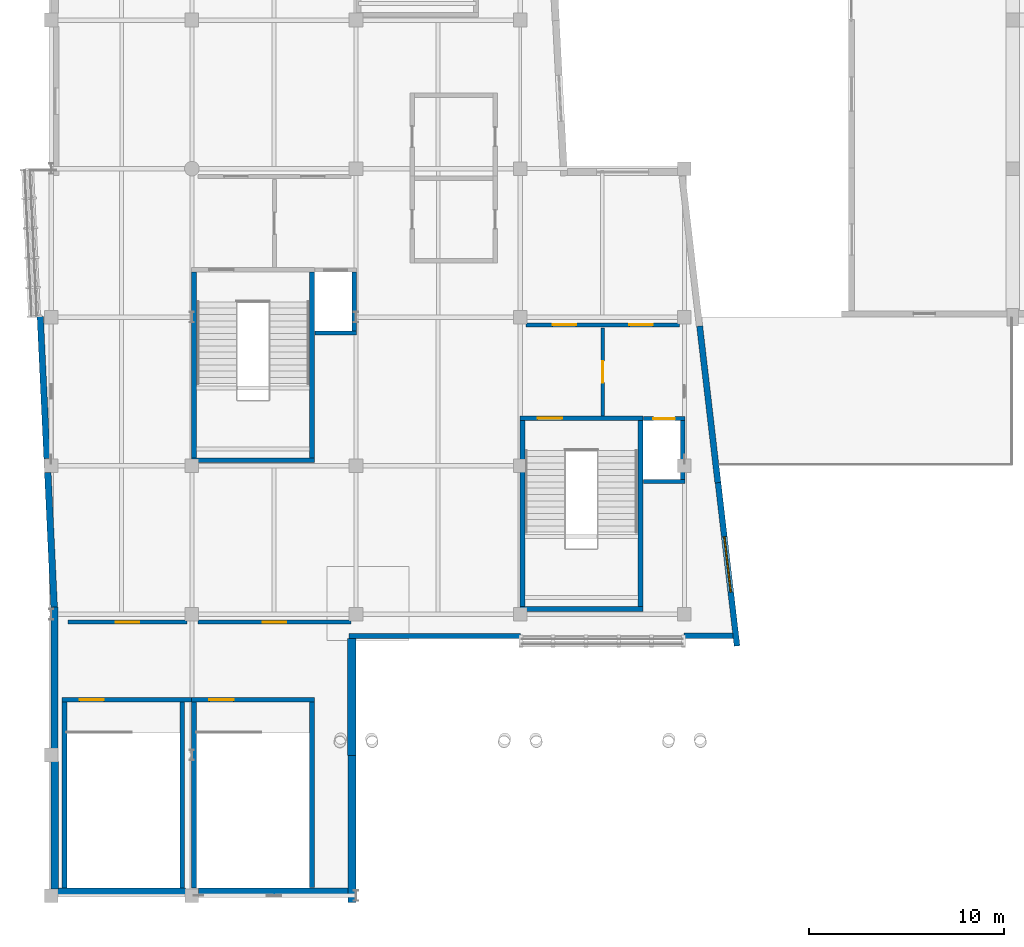
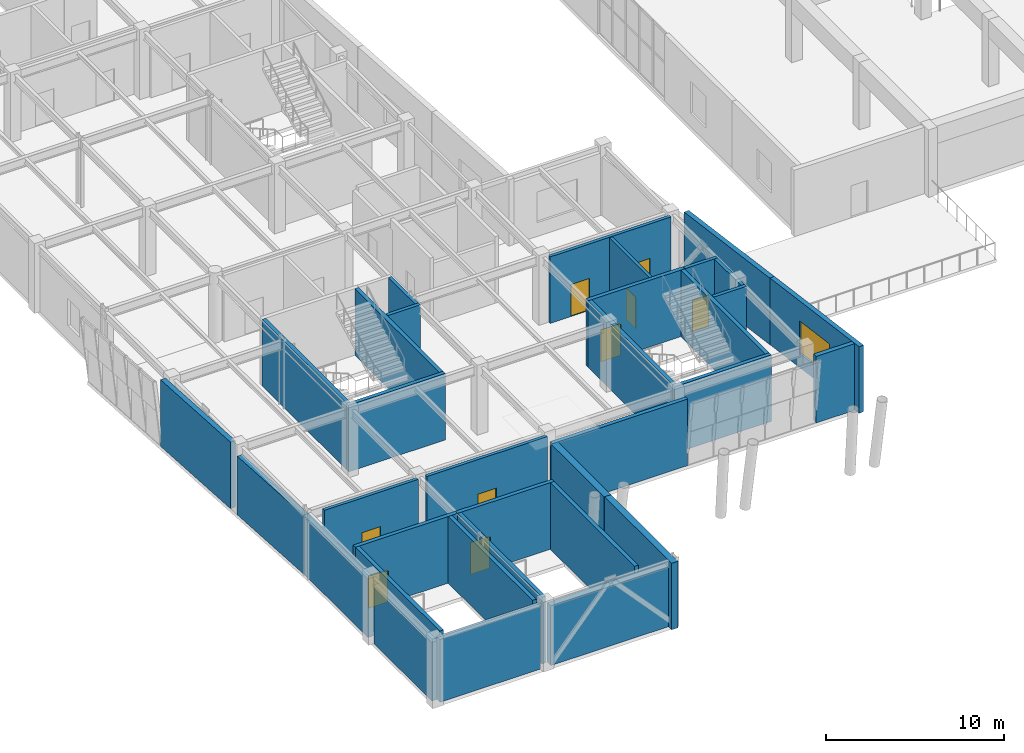
# One storey, part 61 of 72: 34 walls, 9 doors, 1 window, 10 openings.
"""IFC4 building model written with IfcOpenShell, lengths in metres."""

from ifc_helpers import new_model, si_unit, direction, frame, frame_2d, origin, place, context, subcontext, project, spatial, rectangle, extrude, material, layer, layer_set, type_object, element, fill, save


model = new_model("IFC4")

# Units and contexts
model_context = context("Model", 3, precision=1e-05, world=origin(), true_north=direction((0.0, 1.0)))
body_context = subcontext(model_context, "Body", "Model", "MODEL_VIEW")
ifc_project = project(units=[si_unit("LENGTHUNIT", "METRE"), si_unit("AREAUNIT", "SQUARE_METRE"), si_unit("VOLUMEUNIT", "CUBIC_METRE"), si_unit("PLANEANGLEUNIT", "RADIAN"), si_unit("MASSUNIT", "GRAM", prefix="KILO")], contexts=[model_context])

# Site, building, storey
site_placement = place(None, origin())
site = spatial("IfcSite", under=ifc_project, at=site_placement, CompositionType="ELEMENT")
building_placement = place(site_placement, origin())
building = spatial("IfcBuilding", under=site, at=building_placement, Name="Xicomal Pleat Aquarium", CompositionType="ELEMENT")
storey_placement = place(building_placement, frame((0.0, 0.0, 10.5)))
storey = spatial("IfcBuildingStorey", under=building, at=storey_placement, Name="L03", CompositionType="ELEMENT", Elevation=10.5)

# Walls
ifc_material_1 = material(Name="Concrete C40/50", Category="concrete")
ifc_layer_1 = layer(ifc_material_1, 0.219970703125)
ifc_layer_set_1 = layer_set([ifc_layer_1], Name="Concrete C40/50")
wall_type_1 = type_object("IfcWallType", Name="WAL-COR-220", PredefinedType="SHEAR", material=ifc_layer_set_1)
wall_1_placement = place(storey_placement, frame((16.5, 29.590087890625, 0.0), z_axis=(0.0, 0.0, 1.0), x_axis=(1.0, 0.0, 0.0)))
element("IfcWall", 1, at=wall_1_placement, inside=storey, type_object=wall_type_1, Name="L03 LF-01 lift shaft wall CW-L03-C1-LS", PredefinedType="SHEAR", context=body_context, shape_type="SweptSolid", body=[
    extrude(rectangle(XDim=2.1201171875, YDim=0.219970703125, at=frame_2d((1.06005859375, 0.0))), origin(), (0.0, 0.0, 1.0), 4.574951171875),
])
wall_2_placement = place(storey_placement, frame((18.510009765625, 29.699951171875, 0.0), z_axis=(0.0, 0.0, 1.0), x_axis=(0.0, 1.0, 0.0)))
element("IfcWall", 2, at=wall_2_placement, inside=storey, type_object=wall_type_1, Name="L03 LF-01 lift shaft wall CW-L03-C1-LE", PredefinedType="SHEAR", context=body_context, shape_type="SweptSolid", body=[
    extrude(rectangle(XDim=3.0, YDim=0.219970703125, at=frame_2d((1.5, 0.0))), origin(), (0.0, 0.0, 1.0), 4.574951171875),
])
wall_3_placement = place(storey_placement, frame((33.300048828125, 21.989990234375, 0.0), z_axis=(0.0, 0.0, 1.0), x_axis=(1.0, 0.0, 0.0)))
element("IfcWall", 3, at=wall_3_placement, inside=storey, type_object=wall_type_1, Name="L03 LF-02 lift shaft wall CW-L03-C2-LS", PredefinedType="SHEAR", context=body_context, shape_type="SweptSolid", body=[
    extrude(rectangle(XDim=2.119873046875, YDim=0.219970703125, at=frame_2d((1.06005859375, 0.0))), origin(), (0.0, 0.0, 1.0), 4.574951171875),
])

# Wall, opening, door
wall_4_placement = place(storey_placement, frame((33.300048828125, 25.2099609375, 0.0), z_axis=(0.0, 0.0, 1.0), x_axis=(1.0, 0.0, 0.0)))
wall_4 = element("IfcWall", 4, at=wall_4_placement, inside=storey, type_object=wall_type_1, Name="L03 LF-02 lift shaft wall CW-L03-C2-LN", PredefinedType="SHEAR", context=body_context, shape_type="SweptSolid", body=[
    extrude(rectangle(XDim=2.119873046875, YDim=0.219970703125, at=frame_2d((1.06005859375, 0.0))), origin(), (0.0, 0.0, 1.0), 4.574951171875),
])
opening_1_placement = place(wall_4_placement, frame((0.510009765625, 0.0, 0.0)))
opening_1 = element("IfcOpeningElement", 5, at=opening_1_placement, cuts=wall_4, Name="Opening LD-02-L03", PredefinedType="OPENING", context=body_context, shape_type="SweptSolid", body=[
    extrude(rectangle(XDim=1.10009765625, YDim=2.14990234375, at=frame_2d((0.550048828125, 1.074951171875))), frame((0.0, 0.119873046875, 0.0), z_axis=(0.0, -1.0, 0.0), x_axis=(1.0, 0.0, 0.0)), (0.0, 0.0, 1.0), 0.239990234375),
])
ifc_material_2 = material(Name="Brushed stainless steel 304", Category="steel")
door_type_1 = type_object("IfcDoorType", Name="DOR-LD-1100x2150", OperationType="DOUBLE_DOOR_SLIDING", PredefinedType="DOOR", material=ifc_material_2)
door_1_placement = place(opening_1_placement, origin())
door_1 = element("IfcDoor", 6, at=door_1_placement, inside=storey, type_object=door_type_1, Name="L03 LF-02 sliding lift landing door", OperationType="DOUBLE_DOOR_SLIDING", OverallHeight=2.14990234375, OverallWidth=1.10009765625, PredefinedType="DOOR", context=body_context, shape_type="SweptSolid", body=[
    extrude(rectangle(XDim=1.10009765625, YDim=2.14990234375, at=frame_2d((0.550048828125, 1.074951171875))), frame((0.0, 0.02490234375, 0.0), z_axis=(0.0, -1.0, 0.0), x_axis=(1.0, 0.0, 0.0)), (0.0, 0.0, 1.0), 0.050048828125),
])
fill(opening_1, door_1)

# Walls
wall_5_placement = place(storey_placement, frame((35.31005859375, 22.10009765625, 0.0), z_axis=(0.0, 0.0, 1.0), x_axis=(0.0, 1.0, 0.0)))
element("IfcWall", 7, at=wall_5_placement, inside=storey, type_object=wall_type_1, Name="L03 LF-02 lift shaft wall CW-L03-C2-LE", PredefinedType="SHEAR", context=body_context, shape_type="SweptSolid", body=[
    extrude(rectangle(XDim=3.0, YDim=0.219970703125, at=frame_2d((1.5, 0.0))), origin(), (0.0, 0.0, 1.0), 4.574951171875),
])
ifc_material_3 = material(Name="Concrete C40/50", Category="concrete")
ifc_layer_2 = layer(ifc_material_3, 0.25)
ifc_layer_set_2 = layer_set([ifc_layer_2], Name="Concrete C40/50")
wall_type_2 = type_object("IfcWallType", Name="WAL-COR-250", PredefinedType="SHEAR", material=ifc_layer_set_2)
wall_6_placement = place(storey_placement, frame((10.18994140625, 23.074951171875, 0.0), z_axis=(0.0, 0.0, 1.0), x_axis=(1.0, 0.0, 0.0)))
element("IfcWall", 8, at=wall_6_placement, inside=storey, type_object=wall_type_2, Name="L03 CORE-1 stair shear wall CW-L03-C1-SS", PredefinedType="SHEAR", context=body_context, shape_type="SweptSolid", body=[
    extrude(rectangle(XDim=6.280029296875, YDim=0.25, at=frame_2d((3.14013671875, 0.0))), origin(), (0.0, 0.0, 1.0), 4.574951171875),
])
for number, where, z_axis, x_axis, name in (
    (9, (10.31494140625, 23.199951171875, 0.0), (0.0, 0.0, 1.0), (0.0, 1.0, 0.0), "L03 CORE-1 stair shear wall CW-L03-C1-SW"),
    (10, (16.344970703125, 23.199951171875, 0.0), (0.0, 0.0, 1.0), (0.0, 1.0, 0.0), "L03 CORE-1 stair shear wall CW-L03-C1-SE"),
):
    element("IfcWall", number, at=place(storey_placement, frame(where, z_axis=z_axis, x_axis=x_axis)), inside=storey, type_object=wall_type_2, Name=name, PredefinedType="SHEAR", context=body_context, shape_type="SweptSolid", body=[
        extrude(rectangle(XDim=9.5, YDim=0.25, at=frame_2d((4.75, 0.0))), origin(), (0.0, 0.0, 1.0), 4.574951171875),
    ])
wall_7_placement = place(storey_placement, frame((26.989990234375, 15.47509765625, 0.0), z_axis=(0.0, 0.0, 1.0), x_axis=(1.0, 0.0, 0.0)))
element("IfcWall", 11, at=wall_7_placement, inside=storey, type_object=wall_type_2, Name="L03 CORE-2 stair shear wall CW-L03-C2-SS", PredefinedType="SHEAR", context=body_context, shape_type="SweptSolid", body=[
    extrude(rectangle(XDim=6.280029296875, YDim=0.25, at=frame_2d((3.14013671875, 0.0))), origin(), (0.0, 0.0, 1.0), 4.574951171875),
])

# Wall, opening, door
wall_8_placement = place(storey_placement, frame((26.989990234375, 25.22509765625, 0.0), z_axis=(0.0, 0.0, 1.0), x_axis=(1.0, 0.0, 0.0)))
wall_8 = element("IfcWall", 12, at=wall_8_placement, inside=storey, type_object=wall_type_2, Name="L03 CORE-2 stair shear wall CW-L03-C2-SN", PredefinedType="SHEAR", context=body_context, shape_type="SweptSolid", body=[
    extrude(rectangle(XDim=6.280029296875, YDim=0.25, at=frame_2d((3.14013671875, 0.0))), origin(), (0.0, 0.0, 1.0), 4.574951171875),
])
opening_2_placement = place(wall_8_placement, frame((0.89990234375, 0.0, 0.0)))
opening_2 = element("IfcOpeningElement", 13, at=opening_2_placement, cuts=wall_8, Name="Opening SD-02-L03", PredefinedType="OPENING", context=body_context, shape_type="SweptSolid", body=[
    extrude(rectangle(XDim=1.25, YDim=2.199951171875, at=frame_2d((0.625, 1.10009765625))), frame((0.0, 0.135009765625, 0.0), z_axis=(0.0, -1.0, 0.0), x_axis=(1.0, 0.0, 0.0)), (0.0, 0.0, 1.0), 0.27001953125),
])
ifc_material_4 = material(Name="Powder-coated steel fire door", Category="steel")
door_type_2 = type_object("IfcDoorType", Name="DOR-ST-1250x2200", OperationType="NOTDEFINED", PredefinedType="DOOR", material=ifc_material_4)
door_2_placement = place(opening_2_placement, origin())
door_2 = element("IfcDoor", 14, at=door_2_placement, inside=storey, type_object=door_type_2, Name="L03 ST-02 protected stair door", OperationType="SINGLE_SWING_LEFT", OverallHeight=2.199951171875, OverallWidth=1.25, PredefinedType="DOOR", context=body_context, shape_type="SweptSolid", body=[
    extrude(rectangle(XDim=1.25, YDim=2.199951171875, at=frame_2d((0.625, 1.10009765625))), frame((0.0, 0.02490234375, 0.0), z_axis=(0.0, -1.0, 0.0), x_axis=(1.0, 0.0, 0.0)), (0.0, 0.0, 1.0), 0.050048828125),
])
fill(opening_2, door_2)

# Walls
for number, where, z_axis, x_axis, name in (
    (15, (27.114990234375, 15.60009765625, 0.0), (0.0, 0.0, 1.0), (0.0, 1.0, 0.0), "L03 CORE-2 stair shear wall CW-L03-C2-SW"),
    (16, (33.14501953125, 15.60009765625, 0.0), (0.0, 0.0, 1.0), (0.0, 1.0, 0.0), "L03 CORE-2 stair shear wall CW-L03-C2-SE"),
):
    element("IfcWall", number, at=place(storey_placement, frame(where, z_axis=z_axis, x_axis=x_axis)), inside=storey, type_object=wall_type_2, Name=name, PredefinedType="SHEAR", context=body_context, shape_type="SweptSolid", body=[
        extrude(rectangle(XDim=9.5, YDim=0.25, at=frame_2d((4.75, 0.0))), origin(), (0.0, 0.0, 1.0), 4.574951171875),
    ])

# Wall, opening, door
wall_9_placement = place(storey_placement, frame((10.18994140625, 10.824951171875, 0.0), z_axis=(0.0, 0.0, 1.0), x_axis=(1.0, 0.0, 0.0)))
wall_9 = element("IfcWall", 17, at=wall_9_placement, inside=storey, type_object=wall_type_2, Name="L03 CORE-9 stair shear wall CW-L03-C9-SN", PredefinedType="SHEAR", context=body_context, shape_type="SweptSolid", body=[
    extrude(rectangle(XDim=6.280029296875, YDim=0.25, at=frame_2d((3.14013671875, 0.0))), origin(), (0.0, 0.0, 1.0), 4.580078125),
])
opening_3_placement = place(wall_9_placement, frame((0.89990234375, 0.0, 0.0)))
opening_3 = element("IfcOpeningElement", 18, at=opening_3_placement, cuts=wall_9, Name="Opening SD-09-L03", PredefinedType="OPENING", context=body_context, shape_type="SweptSolid", body=[
    extrude(rectangle(XDim=1.25, YDim=2.199951171875, at=frame_2d((0.625, 1.10009765625))), frame((0.0, 0.135009765625, 0.0), z_axis=(0.0, -1.0, 0.0), x_axis=(1.0, 0.0, 0.0)), (0.0, 0.0, 1.0), 0.27001953125),
])
door_3_placement = place(opening_3_placement, origin())
door_3 = element("IfcDoor", 19, at=door_3_placement, inside=storey, type_object=door_type_2, Name="L03 ST-09 protected stair door", OperationType="SINGLE_SWING_LEFT", OverallHeight=2.199951171875, OverallWidth=1.25, PredefinedType="DOOR", context=body_context, shape_type="SweptSolid", body=[
    extrude(rectangle(XDim=1.25, YDim=2.199951171875, at=frame_2d((0.625, 1.10009765625))), frame((0.0, 0.02490234375, 0.0), z_axis=(0.0, -1.0, 0.0), x_axis=(1.0, 0.0, 0.0)), (0.0, 0.0, 1.0), 0.050048828125),
])
fill(opening_3, door_3)

# Walls
wall_10_placement = place(storey_placement, frame((10.31494140625, 1.199951171875, 0.0), z_axis=(0.0, 0.0, 1.0), x_axis=(0.0, 1.0, 0.0)))
element("IfcWall", 20, at=wall_10_placement, inside=storey, type_object=wall_type_2, Name="L03 CORE-9 stair shear wall CW-L03-C9-SW", PredefinedType="SHEAR", context=body_context, shape_type="SweptSolid", body=[
    extrude(rectangle(XDim=9.5, YDim=0.25, at=frame_2d((4.75, 0.0))), origin(), (0.0, 0.0, 1.0), 4.580078125),
])
wall_11_placement = place(storey_placement, frame((16.344970703125, 1.219970703125, 0.0), z_axis=(0.0, 0.0, 1.0), x_axis=(0.0, 1.0, 0.0)))
element("IfcWall", 21, at=wall_11_placement, inside=storey, type_object=wall_type_2, Name="L03 CORE-9 stair shear wall CW-L03-C9-SE", PredefinedType="SHEAR", context=body_context, shape_type="SweptSolid", body=[
    extrude(rectangle(XDim=9.47998046875, YDim=0.25, at=frame_2d((4.739990234375, 0.0))), origin(), (0.0, 0.0, 1.0), 4.580078125),
])

# Wall, opening, door
wall_12_placement = place(storey_placement, frame((3.550048828125, 10.824951171875, 0.0), z_axis=(0.0, 0.0, 1.0), x_axis=(1.0, 0.0, 0.0)))
wall_12 = element("IfcWall", 22, at=wall_12_placement, inside=storey, type_object=wall_type_2, Name="L03 CORE-10 stair shear wall CW-L03-C10-SN", PredefinedType="SHEAR", context=body_context, shape_type="SweptSolid", body=[
    extrude(rectangle(XDim=6.639892578125, YDim=0.25, at=frame_2d((3.31982421875, 0.0))), origin(), (0.0, 0.0, 1.0), 4.580078125),
])
opening_4_placement = place(wall_12_placement, frame((0.89990234375, 0.0, 0.0)))
opening_4 = element("IfcOpeningElement", 23, at=opening_4_placement, cuts=wall_12, Name="Opening SD-10-L03", PredefinedType="OPENING", context=body_context, shape_type="SweptSolid", body=[
    extrude(rectangle(XDim=1.25, YDim=2.199951171875, at=frame_2d((0.625, 1.10009765625))), frame((0.0, 0.135009765625, 0.0), z_axis=(0.0, -1.0, 0.0), x_axis=(1.0, 0.0, 0.0)), (0.0, 0.0, 1.0), 0.27001953125),
])
door_4_placement = place(opening_4_placement, origin())
door_4 = element("IfcDoor", 24, at=door_4_placement, inside=storey, type_object=door_type_2, Name="L03 ST-10 protected stair door", OperationType="SINGLE_SWING_LEFT", OverallHeight=2.199951171875, OverallWidth=1.25, PredefinedType="DOOR", context=body_context, shape_type="SweptSolid", body=[
    extrude(rectangle(XDim=1.25, YDim=2.199951171875, at=frame_2d((0.625, 1.10009765625))), frame((0.0, 0.02490234375, 0.0), z_axis=(0.0, -1.0, 0.0), x_axis=(1.0, 0.0, 0.0)), (0.0, 0.0, 1.0), 0.050048828125),
])
fill(opening_4, door_4)

# Walls
for number, where, z_axis, x_axis, name in (
    (25, (3.675048828125, 1.199951171875, 0.0), (0.0, 0.0, 1.0), (0.0, 1.0, 0.0), "L03 CORE-10 stair shear wall CW-L03-C10-SW"),
    (26, (9.705078125, 1.199951171875, 0.0), (0.0, 0.0, 1.0), (0.0, 1.0, 0.0), "L03 CORE-10 stair shear wall CW-L03-C10-SE"),
):
    element("IfcWall", number, at=place(storey_placement, frame(where, z_axis=z_axis, x_axis=x_axis)), inside=storey, type_object=wall_type_2, Name=name, PredefinedType="SHEAR", context=body_context, shape_type="SweptSolid", body=[
        extrude(rectangle(XDim=9.5, YDim=0.25, at=frame_2d((4.75, 0.0))), origin(), (0.0, 0.0, 1.0), 4.580078125),
    ])
ifc_material_5 = material(Name="Volcanic basalt recinto masonry and concrete C40/50", Category="masonry")
ifc_layer_3 = layer(ifc_material_5, 0.35009765625)
ifc_layer_set_3 = layer_set([ifc_layer_3], Name="Volcanic basalt recinto masonry and concrete C40/50")
wall_type_3 = type_object("IfcWallType", Name="WAL-EXT-BAS-350", PredefinedType="SOLIDWALL", material=ifc_layer_set_3)
wall_13_placement = place(storey_placement, frame((3.175048828125, 8.3349609375, 0.0), z_axis=(0.0, 0.0, 1.0), x_axis=(0.0, 1.0, 0.0)))
element("IfcWall", 27, at=wall_13_placement, inside=storey, type_object=wall_type_3, Name="L03 exterior basalt-precast wall EW-L03-093", PredefinedType="SOLIDWALL", context=body_context, shape_type="SweptSolid", body=[
    extrude(rectangle(XDim=7.22509765625, YDim=0.35009765625, at=frame_2d((3.612548828125, 0.0))), origin(), (0.0, 0.0, 1.0), 4.02587890625),
])
ifc_material_6 = material(Name="Volcanic basalt recinto masonry and concrete C40/50", Category="masonry")
ifc_layer_4 = layer(ifc_material_6, 0.364990234375)
ifc_layer_set_4 = layer_set([ifc_layer_4], Name="Volcanic basalt recinto masonry and concrete C40/50")
wall_type_4 = type_object("IfcWallType", Name="WAL-EXT-BAS-365", PredefinedType="SOLIDWALL", material=ifc_layer_set_4)
wall_14_placement = place(storey_placement, frame((3.18310546875, 1.135009765625, 0.0), z_axis=(0.0, 0.0, 1.0), x_axis=(0.0, 1.0, 0.0)))
element("IfcWall", 28, at=wall_14_placement, inside=storey, type_object=wall_type_4, Name="L03 exterior basalt-precast wall EW-L03-092", PredefinedType="SOLIDWALL", context=body_context, shape_type="SweptSolid", body=[
    extrude(rectangle(XDim=6.530029296875, YDim=0.364990234375, at=frame_2d((3.26513671875, 0.0))), origin(), (0.0, 0.0, 1.0), 4.02587890625),
])
ifc_material_7 = material(Name="Volcanic basalt recinto masonry and concrete C40/50", Category="masonry")
ifc_layer_5 = layer(ifc_material_7, 0.3798828125)
ifc_layer_set_5 = layer_set([ifc_layer_5], Name="Volcanic basalt recinto masonry and concrete C40/50")
wall_type_5 = type_object("IfcWallType", Name="WAL-EXT-BAS-380", PredefinedType="SOLIDWALL", material=ifc_layer_set_5)
wall_15_placement = place(storey_placement, frame((9.864990234375, 0.989990234375, 0.0), z_axis=(0.0, 0.0, 1.0), x_axis=(-1.0, 0.0, 0.0)))
element("IfcWall", 29, at=wall_15_placement, inside=storey, type_object=wall_type_5, Name="L03 exterior basalt-precast wall EW-L03-091", PredefinedType="SOLIDWALL", context=body_context, shape_type="SweptSolid", body=[
    extrude(rectangle(XDim=6.530029296875, YDim=0.3798828125, at=frame_2d((3.26513671875, 0.0))), origin(), (0.0, 0.0, 1.0), 4.320068359375),
])
ifc_material_8 = material(Name="Volcanic basalt recinto masonry and concrete C40/50", Category="masonry")
ifc_layer_6 = layer(ifc_material_8, 0.39990234375)
ifc_layer_set_6 = layer_set([ifc_layer_6], Name="Volcanic basalt recinto masonry and concrete C40/50")
wall_type_6 = type_object("IfcWallType", Name="WAL-EXT-BAS-400", PredefinedType="SOLIDWALL", material=ifc_layer_set_6)
wall_16_placement = place(storey_placement, frame((18.175048828125, 1.0, 0.0), z_axis=(0.0, 0.0, 1.0), x_axis=(-1.0, 0.0, 0.0)))
element("IfcWall", 30, at=wall_16_placement, inside=storey, type_object=wall_type_6, Name="L03 exterior basalt-precast wall EW-L03-090B", PredefinedType="SOLIDWALL", context=body_context, shape_type="SweptSolid", body=[
    extrude(rectangle(XDim=7.64013671875, YDim=0.39990234375, at=frame_2d((3.820068359375, 0.0))), origin(), (0.0, 0.0, 1.0), 4.10107421875),
])
ifc_material_9 = material(Name="Volcanic basalt recinto masonry and concrete C40/50", Category="masonry")
ifc_layer_7 = layer(ifc_material_9, 0.419921875)
ifc_layer_set_7 = layer_set([ifc_layer_7], Name="Volcanic basalt recinto masonry and concrete C40/50")
wall_type_7 = type_object("IfcWallType", Name="WAL-EXT-BAS-420", PredefinedType="SOLIDWALL", material=ifc_layer_set_7)
wall_17_placement = place(storey_placement, frame((18.389892578125, 7.97998046875, 0.0), z_axis=(0.0, 0.0, 1.0), x_axis=(0.0, -1.0, 0.0)))
element("IfcWall", 31, at=wall_17_placement, inside=storey, type_object=wall_type_7, Name="L03 exterior basalt-precast wall EW-L03-089", PredefinedType="SOLIDWALL", context=body_context, shape_type="SweptSolid", body=[
    extrude(rectangle(XDim=7.5400390625, YDim=0.419921875, at=frame_2d((3.77001953125, 0.0))), origin(), (0.0, 0.0, 1.0), 4.574951171875),
])
ifc_material_10 = material(Name="Volcanic basalt recinto masonry and concrete C40/50", Category="masonry")
ifc_layer_8 = layer(ifc_material_10, 0.445068359375)
ifc_layer_set_8 = layer_set([ifc_layer_8], Name="Volcanic basalt recinto masonry and concrete C40/50")
wall_type_8 = type_object("IfcWallType", Name="WAL-EXT-BAS-445", PredefinedType="SOLIDWALL", material=ifc_layer_set_8)
wall_18_placement = place(storey_placement, frame((18.3779296875, 13.945068359375, 0.0), z_axis=(0.0, 0.0, 1.0), x_axis=(0.0, -1.0, 0.0)))
element("IfcWall", 32, at=wall_18_placement, inside=storey, type_object=wall_type_8, Name="L03 exterior basalt-precast wall EW-L03-088B", PredefinedType="SOLIDWALL", context=body_context, shape_type="SweptSolid", body=[
    extrude(rectangle(XDim=5.965087890625, YDim=0.445068359375, at=frame_2d((2.982421875, 0.0))), origin(), (0.0, 0.0, 1.0), 4.574951171875),
])
ifc_material_11 = material(Name="Precast concrete C40/50", Category="concrete")
ifc_layer_9 = layer(ifc_material_11, 0.260009765625)
ifc_layer_set_9 = layer_set([ifc_layer_9], Name="Precast concrete C40/50")
wall_type_9 = type_object("IfcWallType", Name="WAL-EXT-PRC-260", PredefinedType="SOLIDWALL", material=ifc_layer_set_9)
wall_19_placement = place(storey_placement, frame((27.02001953125, 14.080078125, 0.0), z_axis=(0.0, 0.0, 1.0), x_axis=(-1.0, 0.0, 0.0)))
element("IfcWall", 33, at=wall_19_placement, inside=storey, type_object=wall_type_9, Name="L03 exterior basalt-precast wall EW-L03-087", PredefinedType="SOLIDWALL", context=body_context, shape_type="SweptSolid", body=[
    extrude(rectangle(XDim=8.780029296875, YDim=0.260009765625, at=frame_2d((4.39013671875, 0.0))), origin(), (0.0, 0.0, 1.0), 4.574951171875),
])
ifc_material_12 = material(Name="Precast concrete C40/50", Category="concrete")
ifc_layer_10 = layer(ifc_material_12, 0.2900390625)
ifc_layer_set_10 = layer_set([ifc_layer_10], Name="Precast concrete C40/50")
wall_type_10 = type_object("IfcWallType", Name="WAL-EXT-PRC-290", PredefinedType="SOLIDWALL", material=ifc_layer_set_10)
wall_20_placement = place(storey_placement, frame((37.8759765625, 14.094970703125, 0.0), z_axis=(0.0, 0.0, 1.0), x_axis=(-1.0, 0.0, 0.0)))
element("IfcWall", 34, at=wall_20_placement, inside=storey, type_object=wall_type_10, Name="L03 exterior basalt-precast wall EW-L03-085B", PredefinedType="SOLIDWALL", context=body_context, shape_type="SweptSolid", body=[
    extrude(rectangle(XDim=2.49609375, YDim=0.2900390625, at=frame_2d((1.248046875, 0.0))), origin(), (0.0, 0.0, 1.0), 4.574951171875),
])

# Wall, opening, window
ifc_material_13 = material(Name="Precast concrete C40/50", Category="concrete")
ifc_layer_11 = layer(ifc_material_13, 0.300048828125)
ifc_layer_set_11 = layer_set([ifc_layer_11], Name="Precast concrete C40/50")
wall_type_11 = type_object("IfcWallType", Name="WAL-EXT-PRC-300", PredefinedType="SOLIDWALL", material=ifc_layer_set_11)
wall_21_placement = place(storey_placement, frame((37.12109375, 21.929931640625, 0.0), z_axis=(0.0, 0.0, 1.0), x_axis=(0.115549476086, -0.99330172585, 0.0)))
wall_21 = element("IfcWall", 35, at=wall_21_placement, inside=storey, type_object=wall_type_11, Name="L03 exterior basalt-precast wall EW-L03-084", PredefinedType="SOLIDWALL", context=body_context, shape_type="SweptSolid", body=[
    extrude(rectangle(XDim=8.411376953125, YDim=0.300048828125, at=frame_2d((4.20556640625, 0.0))), origin(), (0.0, 0.0, 1.0), 4.574951171875),
])
opening_5_placement = place(wall_21_placement, frame((2.781005859375, 0.0, 0.949951171875)))
opening_5 = element("IfcOpeningElement", 36, at=opening_5_placement, cuts=wall_21, Name="Opening WN-24", PredefinedType="OPENING", context=body_context, shape_type="SweptSolid", body=[
    extrude(rectangle(XDim=2.85009765625, YDim=2.25, at=frame_2d((1.425048828125, 1.125))), frame((0.0, 0.159912109375, 0.0), z_axis=(0.0, -1.0, 0.0), x_axis=(1.0, 0.0, 0.0)), (0.0, 0.0, 1.0), 0.320068359375),
])
ifc_material_14 = material(Name="Insulated low-E laminated glass", Category="glass")
window_type = type_object("IfcWindowType", Name="WIN-EXT-2850x2250", PartitioningType="DOUBLE_PANEL_VERTICAL", PredefinedType="WINDOW", material=ifc_material_14)
window_placement = place(opening_5_placement, origin())
window = element("IfcWindow", 37, at=window_placement, inside=storey, type_object=window_type, Name="L03 thermally broken low-E window 48", OverallHeight=2.25, OverallWidth=2.85009765625, PartitioningType="SINGLE_PANEL", PredefinedType="WINDOW", context=body_context, shape_type="SweptSolid", body=[
    extrude(rectangle(XDim=2.85009765625, YDim=2.25, at=frame_2d((1.425048828125, 1.125))), frame((0.0, 0.030029296875, 0.0), z_axis=(0.0, -1.0, 0.0), x_axis=(1.0, 0.0, 0.0)), (0.0, 0.0, 1.0), 0.06005859375),
])
fill(opening_5, window)

# Walls
ifc_material_15 = material(Name="Precast concrete C40/50", Category="concrete")
ifc_layer_12 = layer(ifc_material_15, 0.31201171875)
ifc_layer_set_12 = layer_set([ifc_layer_12], Name="Precast concrete C40/50")
wall_type_12 = type_object("IfcWallType", Name="WAL-EXT-PRC-312", PredefinedType="SOLIDWALL", material=ifc_layer_set_12)
wall_22_placement = place(storey_placement, frame((36.180908203125, 29.945068359375, 0.0), z_axis=(0.0, 0.0, 1.0), x_axis=(0.115623027475, -0.993293166954, 0.0)))
element("IfcWall", 38, at=wall_22_placement, inside=storey, type_object=wall_type_12, Name="L03 exterior basalt-precast wall EW-L03-083", PredefinedType="SOLIDWALL", context=body_context, shape_type="SweptSolid", body=[
    extrude(rectangle(XDim=8.0703125, YDim=0.31201171875, at=frame_2d((4.03515625, 0.0))), origin(), (0.0, 0.0, 1.0), 4.574951171875),
])
ifc_material_16 = material(Name="Precast concrete C40/50", Category="concrete")
ifc_layer_13 = layer(ifc_material_16, 0.324951171875)
ifc_layer_set_13 = layer_set([ifc_layer_13], Name="Precast concrete C40/50")
wall_type_13 = type_object("IfcWallType", Name="WAL-EXT-PRC-325", PredefinedType="SOLIDWALL", material=ifc_layer_set_13)
wall_23_placement = place(storey_placement, frame((2.785888671875, 23.157958984375, 0.0), z_axis=(0.0, 0.0, 1.0), x_axis=(-0.047397807726, 0.998876092327, 0.0)))
element("IfcWall", 39, at=wall_23_placement, inside=storey, type_object=wall_type_13, Name="L03 exterior basalt-precast wall EW-L03-095", PredefinedType="SOLIDWALL", context=body_context, shape_type="SweptSolid", body=[
    extrude(rectangle(XDim=7.2783203125, YDim=0.324951171875, at=frame_2d((3.63916015625, 0.0))), origin(), (0.0, 0.0, 1.0), 4.574951171875),
])
ifc_material_17 = material(Name="Precast concrete C40/50", Category="concrete")
ifc_layer_14 = layer(ifc_material_17, 0.340087890625)
ifc_layer_set_14 = layer_set([ifc_layer_14], Name="Precast concrete C40/50")
wall_type_14 = type_object("IfcWallType", Name="WAL-EXT-PRC-340", PredefinedType="SOLIDWALL", material=ifc_layer_set_14)
wall_24_placement = place(storey_placement, frame((3.153076171875, 15.56005859375, 0.0), z_axis=(0.0, 0.0, 1.0), x_axis=(-0.047380356571, 0.998876920252, 0.0)))
element("IfcWall", 40, at=wall_24_placement, inside=storey, type_object=wall_type_14, Name="L03 exterior basalt-precast wall EW-L03-094", PredefinedType="SOLIDWALL", context=body_context, shape_type="SweptSolid", body=[
    extrude(rectangle(XDim=6.90478515625, YDim=0.340087890625, at=frame_2d((3.452392578125, 0.0))), origin(), (0.0, 0.0, 1.0), 4.02587890625),
])

# Wall, opening, door
ifc_material_18 = material(Name="Acoustic double-stud drywall partition", Category="gypsum")
ifc_layer_15 = layer(ifc_material_18, 0.195068359375)
ifc_layer_set_15 = layer_set([ifc_layer_15], Name="Acoustic double-stud drywall partition")
wall_type_15 = type_object("IfcWallType", Name="WAL-PRT-195", PredefinedType="PARTITIONING", material=ifc_layer_set_15)
wall_25_placement = place(storey_placement, frame((31.22509765625, 25.35009765625, 0.0), z_axis=(0.0, 0.0, 1.0), x_axis=(0.0, 1.0, 0.0)))
wall_25 = element("IfcWall", 41, at=wall_25_placement, inside=storey, type_object=wall_type_15, Name="L03 firefighting lobby smoke divider 2", PredefinedType="PARTITIONING", context=body_context, shape_type="SweptSolid", body=[
    extrude(rectangle(XDim=4.5, YDim=0.195068359375, at=frame_2d((2.25, 0.0))), origin(), (0.0, 0.0, 1.0), 4.574951171875),
])
opening_6_placement = place(wall_25_placement, frame((1.699951171875, 0.0, 0.0)))
opening_6 = element("IfcOpeningElement", 42, at=opening_6_placement, cuts=wall_25, Name="Opening FD-02C-L03", PredefinedType="OPENING", context=body_context, shape_type="SweptSolid", body=[
    extrude(rectangle(XDim=1.10009765625, YDim=2.14990234375, at=frame_2d((0.550048828125, 1.074951171875))), frame((0.0, 0.107421875, 0.0), z_axis=(0.0, -1.0, 0.0), x_axis=(1.0, 0.0, 0.0)), (0.0, 0.0, 1.0), 0.215087890625),
])
ifc_material_19 = material(Name="Powder-coated steel fire door", Category="steel")
door_type_3 = type_object("IfcDoorType", Name="DOR-LAB-1100x2150", OperationType="NOTDEFINED", PredefinedType="DOOR", material=ifc_material_19)
door_5_placement = place(opening_6_placement, origin())
door_5 = element("IfcDoor", 43, at=door_5_placement, inside=storey, type_object=door_type_3, Name="L03 lobby interconnecting fire door 2C", OperationType="SINGLE_SWING_RIGHT", OverallHeight=2.14990234375, OverallWidth=1.10009765625, PredefinedType="DOOR", context=body_context, shape_type="SweptSolid", body=[
    extrude(rectangle(XDim=1.10009765625, YDim=2.14990234375, at=frame_2d((0.550048828125, 1.074951171875))), frame((0.0, 0.02490234375, 0.0), z_axis=(0.0, -1.0, 0.0), x_axis=(1.0, 0.0, 0.0)), (0.0, 0.0, 1.0), 0.050048828125),
])
fill(opening_6, door_5)

# Wall, openings, doors
ifc_material_20 = material(Name="Fire-rated gypsum and mineral-wool partition", Category="gypsum")
ifc_layer_16 = layer(ifc_material_20, 0.2099609375)
ifc_layer_set_16 = layer_set([ifc_layer_16], Name="Fire-rated gypsum and mineral-wool partition")
wall_type_16 = type_object("IfcWallType", Name="WAL-PRT-210", PredefinedType="PARTITIONING", material=ifc_layer_set_16)
wall_26_placement = place(storey_placement, frame((27.300048828125, 30.0, 0.0), z_axis=(0.0, 0.0, 1.0), x_axis=(1.0, 0.0, 0.0)))
wall_26 = element("IfcWall", 44, at=wall_26_placement, inside=storey, type_object=wall_type_16, Name="L03 CORE-2 lobby fire enclosure wall", PredefinedType="PARTITIONING", context=body_context, shape_type="SweptSolid", body=[
    extrude(rectangle(XDim=7.849853515625, YDim=0.2099609375, at=frame_2d((3.9248046875, 0.0))), origin(), (0.0, 0.0, 1.0), 4.574951171875),
])
opening_7_placement = place(wall_26_placement, frame((1.362060546875, 0.0, 0.0)))
opening_7 = element("IfcOpeningElement", 45, at=opening_7_placement, cuts=wall_26, Name="Opening FD-02A-L03", PredefinedType="OPENING", context=body_context, shape_type="SweptSolid", body=[
    extrude(rectangle(XDim=1.199951171875, YDim=2.199951171875, at=frame_2d((0.60009765625, 1.10009765625))), frame((0.0, 0.114990234375, 0.0), z_axis=(0.0, -1.0, 0.0), x_axis=(1.0, 0.0, 0.0)), (0.0, 0.0, 1.0), 0.22998046875),
])
opening_8_placement = place(wall_26_placement, frame((5.287109375, 0.0, 0.0)))
opening_8 = element("IfcOpeningElement", 46, at=opening_8_placement, cuts=wall_26, Name="Opening FD-02B-L03", PredefinedType="OPENING", context=body_context, shape_type="SweptSolid", body=[
    extrude(rectangle(XDim=1.199951171875, YDim=2.199951171875, at=frame_2d((0.60009765625, 1.10009765625))), frame((0.0, 0.114990234375, 0.0), z_axis=(0.0, -1.0, 0.0), x_axis=(1.0, 0.0, 0.0)), (0.0, 0.0, 1.0), 0.22998046875),
])
ifc_material_21 = material(Name="Powder-coated steel fire door", Category="steel")
door_type_4 = type_object("IfcDoorType", Name="DOR-FFL-1200x2200", OperationType="NOTDEFINED", PredefinedType="DOOR", material=ifc_material_21)
door_6_placement = place(opening_7_placement, origin())
door_6 = element("IfcDoor", 47, at=door_6_placement, inside=storey, type_object=door_type_4, Name="L03 firefighting lobby door 2A", OperationType="SINGLE_SWING_RIGHT", OverallHeight=2.199951171875, OverallWidth=1.199951171875, PredefinedType="DOOR", context=body_context, shape_type="SweptSolid", body=[
    extrude(rectangle(XDim=1.199951171875, YDim=2.199951171875, at=frame_2d((0.60009765625, 1.10009765625))), frame((0.0, 0.02490234375, 0.0), z_axis=(0.0, -1.0, 0.0), x_axis=(1.0, 0.0, 0.0)), (0.0, 0.0, 1.0), 0.050048828125),
])
fill(opening_7, door_6)
door_7_placement = place(opening_8_placement, origin())
door_7 = element("IfcDoor", 48, at=door_7_placement, inside=storey, type_object=door_type_4, Name="L03 lift lobby door 2B", OperationType="SINGLE_SWING_LEFT", OverallHeight=2.199951171875, OverallWidth=1.199951171875, PredefinedType="DOOR", context=body_context, shape_type="SweptSolid", body=[
    extrude(rectangle(XDim=1.199951171875, YDim=2.199951171875, at=frame_2d((0.60009765625, 1.10009765625))), frame((0.0, 0.02490234375, 0.0), z_axis=(0.0, -1.0, 0.0), x_axis=(1.0, 0.0, 0.0)), (0.0, 0.0, 1.0), 0.050048828125),
])
fill(opening_8, door_7)

# Wall, opening, door
wall_27_placement = place(storey_placement, frame((10.5, 14.800048828125, 0.0), z_axis=(0.0, 0.0, 1.0), x_axis=(1.0, 0.0, 0.0)))
wall_27 = element("IfcWall", 49, at=wall_27_placement, inside=storey, type_object=wall_type_16, Name="L03 CORE-9 lobby fire enclosure wall", PredefinedType="PARTITIONING", context=body_context, shape_type="SweptSolid", body=[
    extrude(rectangle(XDim=7.85009765625, YDim=0.2099609375, at=frame_2d((3.925048828125, 0.0))), origin(), (0.0, 0.0, 1.0), 4.580078125),
])
opening_9_placement = place(wall_27_placement, frame((3.324951171875, 0.0, 0.0)))
opening_9 = element("IfcOpeningElement", 50, at=opening_9_placement, cuts=wall_27, Name="Opening FD-09A-L03", PredefinedType="OPENING", context=body_context, shape_type="SweptSolid", body=[
    extrude(rectangle(XDim=1.199951171875, YDim=2.199951171875, at=frame_2d((0.60009765625, 1.10009765625))), frame((0.0, 0.114990234375, 0.0), z_axis=(0.0, -1.0, 0.0), x_axis=(1.0, 0.0, 0.0)), (0.0, 0.0, 1.0), 0.22998046875),
])
door_8_placement = place(opening_9_placement, origin())
door_8 = element("IfcDoor", 51, at=door_8_placement, inside=storey, type_object=door_type_4, Name="L03 firefighting lobby door 9A", OperationType="SINGLE_SWING_RIGHT", OverallHeight=2.199951171875, OverallWidth=1.199951171875, PredefinedType="DOOR", context=body_context, shape_type="SweptSolid", body=[
    extrude(rectangle(XDim=1.199951171875, YDim=2.199951171875, at=frame_2d((0.60009765625, 1.10009765625))), frame((0.0, 0.02490234375, 0.0), z_axis=(0.0, -1.0, 0.0), x_axis=(1.0, 0.0, 0.0)), (0.0, 0.0, 1.0), 0.050048828125),
])
fill(opening_9, door_8)

wall_28_placement = place(storey_placement, frame((3.860107421875, 14.800048828125, 0.0), z_axis=(0.0, 0.0, 1.0), x_axis=(1.0, 0.0, 0.0)))
wall_28 = element("IfcWall", 52, at=wall_28_placement, inside=storey, type_object=wall_type_16, Name="L03 CORE-10 lobby fire enclosure wall", PredefinedType="PARTITIONING", context=body_context, shape_type="SweptSolid", body=[
    extrude(rectangle(XDim=6.08984375, YDim=0.2099609375, at=frame_2d((3.044921875, 0.0))), origin(), (0.0, 0.0, 1.0), 4.580078125),
])
opening_10_placement = place(wall_28_placement, frame((2.445068359375, 0.0, 0.0)))
opening_10 = element("IfcOpeningElement", 53, at=opening_10_placement, cuts=wall_28, Name="Opening FD-10A-L03", PredefinedType="OPENING", context=body_context, shape_type="SweptSolid", body=[
    extrude(rectangle(XDim=1.199951171875, YDim=2.199951171875, at=frame_2d((0.60009765625, 1.10009765625))), frame((0.0, 0.114990234375, 0.0), z_axis=(0.0, -1.0, 0.0), x_axis=(1.0, 0.0, 0.0)), (0.0, 0.0, 1.0), 0.22998046875),
])
door_9_placement = place(opening_10_placement, origin())
door_9 = element("IfcDoor", 54, at=door_9_placement, inside=storey, type_object=door_type_4, Name="L03 firefighting lobby door 10A", OperationType="SINGLE_SWING_RIGHT", OverallHeight=2.199951171875, OverallWidth=1.199951171875, PredefinedType="DOOR", context=body_context, shape_type="SweptSolid", body=[
    extrude(rectangle(XDim=1.199951171875, YDim=2.199951171875, at=frame_2d((0.60009765625, 1.10009765625))), frame((0.0, 0.02490234375, 0.0), z_axis=(0.0, -1.0, 0.0), x_axis=(1.0, 0.0, 0.0)), (0.0, 0.0, 1.0), 0.050048828125),
])
fill(opening_10, door_9)

save(model, "model.ifc")
